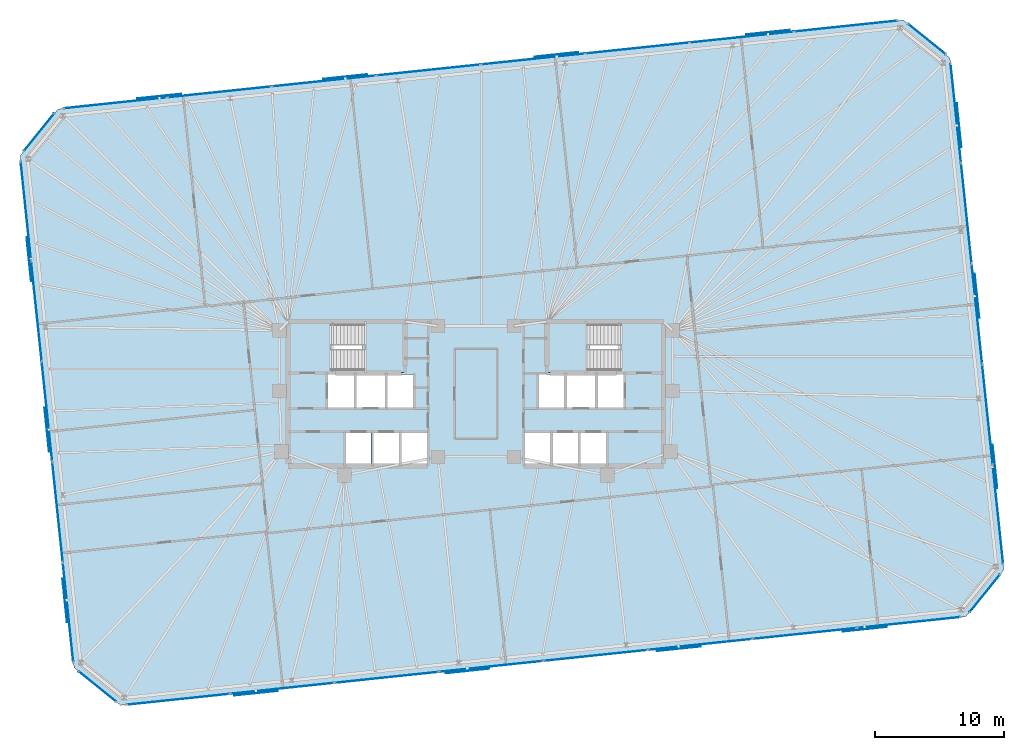
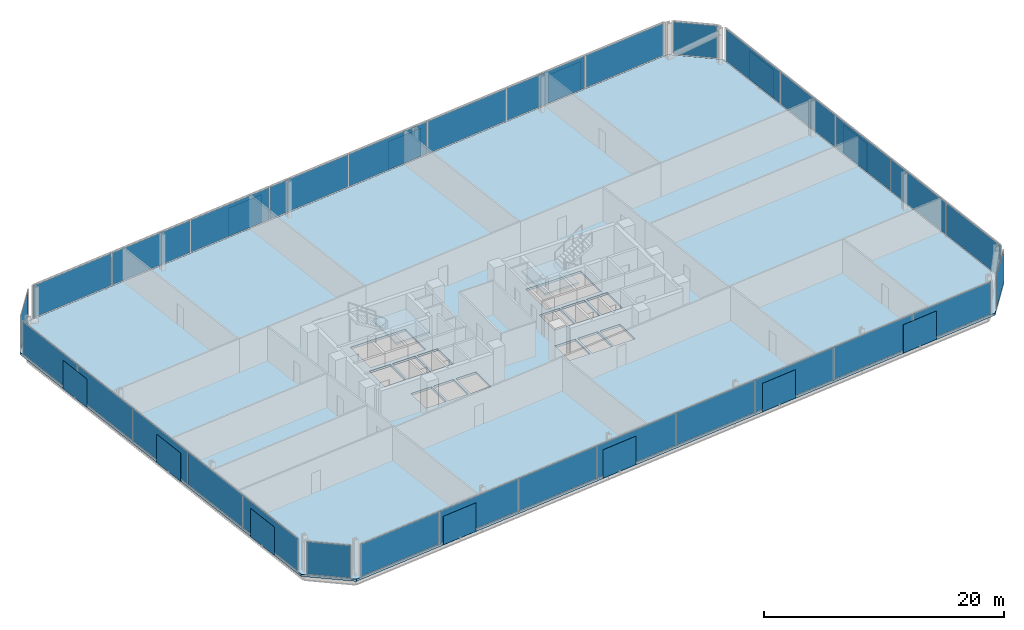
# One storey, part 13 of 18: 44 plates, 3 slabs, 10 elements without a shape of their own.
"""IFC4 building model written with IfcOpenShell, lengths in metres."""

from ifc_helpers import new_model, si_unit, direction, frame, origin, origin_2d, place, context, subcontext, project, spatial, polyline, rectangle, outline, extrude, material, layer, layer_set, type_object, element, aggregate, save


model = new_model("IFC4")

# Units and contexts
model_context = context("Model", 3, precision=1e-05, world=origin(), true_north=direction((0.0, 1.0)))
body_context = subcontext(model_context, "Body", "Model", "MODEL_VIEW")
ifc_project = project(units=[si_unit("LENGTHUNIT", "METRE"), si_unit("AREAUNIT", "SQUARE_METRE"), si_unit("VOLUMEUNIT", "CUBIC_METRE"), si_unit("PLANEANGLEUNIT", "RADIAN"), si_unit("MASSUNIT", "GRAM", prefix="KILO")], contexts=[model_context])

# Site, building, storey
site_placement = place(None, origin())
site = spatial("IfcSite", under=ifc_project, at=site_placement, CompositionType="ELEMENT")
building_placement = place(site_placement, origin())
building = spatial("IfcBuilding", under=site, at=building_placement, Name="Menara Jurai Vektor", CompositionType="ELEMENT")
storey_placement = place(building_placement, frame((0.0, 0.0, 117.0)))
storey = spatial("IfcBuildingStorey", under=building, at=storey_placement, Name="L29", CompositionType="ELEMENT", Elevation=117.0)

# Curtain wall, plates
ifc_material_1 = material(Name="Anodised Pale Aluminium & Low-E Double Glazing", Category="aluminium")
curtain_wall_type = type_object("IfcCurtainWallType", Name="CW-BLK2", PredefinedType="NOTDEFINED", material=ifc_material_1)
curtain_wall_1_placement = place(storey_placement, origin())
curtain_wall_1 = element("IfcCurtainWall", 1, at=curtain_wall_1_placement, inside=storey, type_object=curtain_wall_type, Name="Unitised Curtain Wall L29 F01", PredefinedType="NOTDEFINED")
ifc_material_2 = material(Name="Low-E Solar-Control Double Glazed Unit", Category="glass")
ifc_layer_1 = layer(ifc_material_2, 0.033935546875)
ifc_layer_set_1 = layer_set([ifc_layer_1], Name="Low-E Solar-Control Double Glazed Unit")
plate_type_1 = type_object("IfcPlateType", Name="CW-BLK2-PNL", PredefinedType="CURTAIN_PANEL", material=ifc_layer_set_1)
plate_1_placement = place(storey_placement, frame((-23.090087890625, -23.69921875, 0.090087890625), z_axis=(0.0, 0.0, 1.0), x_axis=(0.994521877325, 0.104528634935, 0.0)))
plate_1 = element("IfcPlate", 2, at=plate_1_placement, type_object=plate_type_1, Name="CW-02 panel 1.1", PredefinedType="CURTAIN_PANEL", context=body_context, shape_type="SweptSolid", body=[
    extrude(rectangle(XDim=8.007568359375, YDim=0.033935546875, at=origin_2d()), origin(), (0.0, 0.0, 1.0), 3.294921875),
])
plate_2_placement = place(storey_placement, frame((-15.014404296875, -22.850341796875, 0.090087890625), z_axis=(0.0, 0.0, 1.0), x_axis=(0.994521877325, 0.104528634935, 0.0)))
plate_2 = element("IfcPlate", 3, at=plate_2_placement, type_object=plate_type_1, Name="CW-02 panel 2.1", PredefinedType="CURTAIN_PANEL", context=body_context, shape_type="SweptSolid", body=[
    extrude(rectangle(XDim=8.052490234375, YDim=0.033935546875, at=origin_2d()), origin(), (0.0, 0.0, 1.0), 3.294921875),
])
plate_3_placement = place(storey_placement, frame((-6.91650390625, -21.999267578125, 0.090087890625), z_axis=(0.0, 0.0, 1.0), x_axis=(0.994521877325, 0.104528634935, 0.0)))
plate_3 = element("IfcPlate", 4, at=plate_3_placement, type_object=plate_type_1, Name="CW-02 panel 3.1", PredefinedType="CURTAIN_PANEL", context=body_context, shape_type="SweptSolid", body=[
    extrude(rectangle(XDim=8.052490234375, YDim=0.033935546875, at=origin_2d()), origin(), (0.0, 0.0, 1.0), 3.294921875),
])
plate_4_placement = place(storey_placement, frame((1.181396484375, -21.148193359375, 0.090087890625), z_axis=(0.0, 0.0, 1.0), x_axis=(0.994521877325, 0.104528634935, 0.0)))
plate_4 = element("IfcPlate", 5, at=plate_4_placement, type_object=plate_type_1, Name="CW-02 panel 4.1", PredefinedType="CURTAIN_PANEL", context=body_context, shape_type="SweptSolid", body=[
    extrude(rectangle(XDim=8.052490234375, YDim=0.033935546875, at=origin_2d()), origin(), (0.0, 0.0, 1.0), 3.294921875),
])
plate_5_placement = place(storey_placement, frame((9.279296875, -20.297119140625, 0.090087890625), z_axis=(0.0, 0.0, 1.0), x_axis=(0.994521877325, 0.104528634935, 0.0)))
plate_5 = element("IfcPlate", 6, at=plate_5_placement, type_object=plate_type_1, Name="CW-02 panel 5.1", PredefinedType="CURTAIN_PANEL", context=body_context, shape_type="SweptSolid", body=[
    extrude(rectangle(XDim=8.052490234375, YDim=0.033935546875, at=origin_2d()), origin(), (0.0, 0.0, 1.0), 3.294921875),
])
plate_6_placement = place(storey_placement, frame((17.377197265625, -19.44580078125, 0.090087890625), z_axis=(0.0, 0.0, 1.0), x_axis=(0.994521877325, 0.104528634935, 0.0)))
plate_6 = element("IfcPlate", 7, at=plate_6_placement, type_object=plate_type_1, Name="CW-02 panel 6.1", PredefinedType="CURTAIN_PANEL", context=body_context, shape_type="SweptSolid", body=[
    extrude(rectangle(XDim=8.052490234375, YDim=0.033935546875, at=origin_2d()), origin(), (0.0, 0.0, 1.0), 3.294921875),
])
plate_7_placement = place(storey_placement, frame((25.47509765625, -18.5947265625, 0.090087890625), z_axis=(0.0, 0.0, 1.0), x_axis=(0.994521877325, 0.104528634935, 0.0)))
plate_7 = element("IfcPlate", 8, at=plate_7_placement, type_object=plate_type_1, Name="CW-02 panel 7.1", PredefinedType="CURTAIN_PANEL", context=body_context, shape_type="SweptSolid", body=[
    extrude(rectangle(XDim=8.052490234375, YDim=0.033935546875, at=origin_2d()), origin(), (0.0, 0.0, 1.0), 3.294921875),
])
plate_8_placement = place(storey_placement, frame((33.550537109375, -17.74609375, 0.090087890625), z_axis=(0.0, 0.0, 1.0), x_axis=(0.994521877325, 0.104528634935, 0.0)))
plate_8 = element("IfcPlate", 9, at=plate_8_placement, type_object=plate_type_1, Name="CW-02 panel 8.1", PredefinedType="CURTAIN_PANEL", context=body_context, shape_type="SweptSolid", body=[
    extrude(rectangle(XDim=8.007568359375, YDim=0.033935546875, at=origin_2d()), origin(), (0.0, 0.0, 1.0), 3.294921875),
])
aggregate(curtain_wall_1, [plate_1, plate_2, plate_3, plate_4, plate_5, plate_6, plate_7, plate_8])

curtain_wall_2_placement = place(storey_placement, origin())
curtain_wall_2 = element("IfcCurtainWall", 10, at=curtain_wall_2_placement, inside=storey, type_object=curtain_wall_type, Name="Unitised Curtain Wall L29 F03", PredefinedType="NOTDEFINED")
plate_9_placement = place(storey_placement, frame((40.485595703125, -9.358642578125, 0.090087890625), z_axis=(0.0, 0.0, 1.0), x_axis=(-0.104529576902, 0.99452177832, 0.0)))
plate_9 = element("IfcPlate", 11, at=plate_9_placement, type_object=plate_type_1, Name="CW-02 panel 1.1", PredefinedType="CURTAIN_PANEL", context=body_context, shape_type="SweptSolid", body=[
    extrude(rectangle(XDim=7.693115234375, YDim=0.033935546875, at=origin_2d()), origin(), (0.0, 0.0, 1.0), 3.294921875),
])
plate_10_placement = place(storey_placement, frame((39.669677734375, -1.595947265625, 0.090087890625), z_axis=(0.0, 0.0, 1.0), x_axis=(-0.104529576902, 0.99452177832, 0.0)))
plate_10 = element("IfcPlate", 12, at=plate_10_placement, type_object=plate_type_1, Name="CW-02 panel 2.1", PredefinedType="CURTAIN_PANEL", context=body_context, shape_type="SweptSolid", body=[
    extrude(rectangle(XDim=7.738037109375, YDim=0.033935546875, at=origin_2d()), origin(), (0.0, 0.0, 1.0), 3.294921875),
])
plate_11_placement = place(storey_placement, frame((38.8515625, 6.189208984375, 0.090087890625), z_axis=(0.0, 0.0, 1.0), x_axis=(-0.104529576902, 0.99452177832, 0.0)))
plate_11 = element("IfcPlate", 13, at=plate_11_placement, type_object=plate_type_1, Name="CW-02 panel 3.1", PredefinedType="CURTAIN_PANEL", context=body_context, shape_type="SweptSolid", body=[
    extrude(rectangle(XDim=7.738037109375, YDim=0.033935546875, at=origin_2d()), origin(), (0.0, 0.0, 1.0), 3.294921875),
])
plate_12_placement = place(storey_placement, frame((38.033203125, 13.974365234375, 0.090087890625), z_axis=(0.0, 0.0, 1.0), x_axis=(-0.104529576902, 0.99452177832, 0.0)))
plate_12 = element("IfcPlate", 14, at=plate_12_placement, type_object=plate_type_1, Name="CW-02 panel 4.1", PredefinedType="CURTAIN_PANEL", context=body_context, shape_type="SweptSolid", body=[
    extrude(rectangle(XDim=7.738037109375, YDim=0.033935546875, at=origin_2d()), origin(), (0.0, 0.0, 1.0), 3.294921875),
])
plate_13_placement = place(storey_placement, frame((37.21728515625, 21.737060546875, 0.090087890625), z_axis=(0.0, 0.0, 1.0), x_axis=(-0.104529576902, 0.99452177832, 0.0)))
plate_13 = element("IfcPlate", 15, at=plate_13_placement, type_object=plate_type_1, Name="CW-02 panel 5.1", PredefinedType="CURTAIN_PANEL", context=body_context, shape_type="SweptSolid", body=[
    extrude(rectangle(XDim=7.693115234375, YDim=0.033935546875, at=origin_2d()), origin(), (0.0, 0.0, 1.0), 3.294921875),
])
aggregate(curtain_wall_2, [plate_9, plate_10, plate_11, plate_12, plate_13])

curtain_wall_3_placement = place(storey_placement, origin())
curtain_wall_3 = element("IfcCurtainWall", 16, at=curtain_wall_3_placement, inside=storey, type_object=curtain_wall_type, Name="Unitised Curtain Wall L29 F05", PredefinedType="NOTDEFINED")
plate_14_placement = place(storey_placement, frame((28.68994140625, 28.499267578125, 0.090087890625), z_axis=(0.0, 0.0, 1.0), x_axis=(-0.994521877325, -0.104528634935, 0.0)))
plate_14 = element("IfcPlate", 17, at=plate_14_placement, type_object=plate_type_1, Name="CW-02 panel 1.1", PredefinedType="CURTAIN_PANEL", context=body_context, shape_type="SweptSolid", body=[
    extrude(rectangle(XDim=8.007568359375, YDim=0.033935546875, at=origin_2d()), origin(), (0.0, 0.0, 1.0), 3.294921875),
])
plate_15_placement = place(storey_placement, frame((20.614501953125, 27.650390625, 0.090087890625), z_axis=(0.0, 0.0, 1.0), x_axis=(-0.994521877325, -0.104528634935, 0.0)))
plate_15 = element("IfcPlate", 18, at=plate_15_placement, type_object=plate_type_1, Name="CW-02 panel 2.1", PredefinedType="CURTAIN_PANEL", context=body_context, shape_type="SweptSolid", body=[
    extrude(rectangle(XDim=8.052490234375, YDim=0.033935546875, at=origin_2d()), origin(), (0.0, 0.0, 1.0), 3.294921875),
])
plate_16_placement = place(storey_placement, frame((12.5166015625, 26.79931640625, 0.090087890625), z_axis=(0.0, 0.0, 1.0), x_axis=(-0.994521877325, -0.104528634935, 0.0)))
plate_16 = element("IfcPlate", 19, at=plate_16_placement, type_object=plate_type_1, Name="CW-02 panel 3.1", PredefinedType="CURTAIN_PANEL", context=body_context, shape_type="SweptSolid", body=[
    extrude(rectangle(XDim=8.052490234375, YDim=0.033935546875, at=origin_2d()), origin(), (0.0, 0.0, 1.0), 3.294921875),
])
plate_17_placement = place(storey_placement, frame((4.418701171875, 25.9482421875, 0.090087890625), z_axis=(0.0, 0.0, 1.0), x_axis=(-0.994521877325, -0.104528634935, 0.0)))
plate_17 = element("IfcPlate", 20, at=plate_17_placement, type_object=plate_type_1, Name="CW-02 panel 4.1", PredefinedType="CURTAIN_PANEL", context=body_context, shape_type="SweptSolid", body=[
    extrude(rectangle(XDim=8.052490234375, YDim=0.033935546875, at=origin_2d()), origin(), (0.0, 0.0, 1.0), 3.294921875),
])
plate_18_placement = place(storey_placement, frame((-3.67919921875, 25.096923828125, 0.090087890625), z_axis=(0.0, 0.0, 1.0), x_axis=(-0.994521877325, -0.104528634935, 0.0)))
plate_18 = element("IfcPlate", 21, at=plate_18_placement, type_object=plate_type_1, Name="CW-02 panel 5.1", PredefinedType="CURTAIN_PANEL", context=body_context, shape_type="SweptSolid", body=[
    extrude(rectangle(XDim=8.052490234375, YDim=0.033935546875, at=origin_2d()), origin(), (0.0, 0.0, 1.0), 3.294921875),
])
plate_19_placement = place(storey_placement, frame((-11.777099609375, 24.245849609375, 0.090087890625), z_axis=(0.0, 0.0, 1.0), x_axis=(-0.994521877325, -0.104528634935, 0.0)))
plate_19 = element("IfcPlate", 22, at=plate_19_placement, type_object=plate_type_1, Name="CW-02 panel 6.1", PredefinedType="CURTAIN_PANEL", context=body_context, shape_type="SweptSolid", body=[
    extrude(rectangle(XDim=8.052490234375, YDim=0.033935546875, at=origin_2d()), origin(), (0.0, 0.0, 1.0), 3.294921875),
])
plate_20_placement = place(storey_placement, frame((-19.875, 23.394775390625, 0.090087890625), z_axis=(0.0, 0.0, 1.0), x_axis=(-0.994521877325, -0.104528634935, 0.0)))
plate_20 = element("IfcPlate", 23, at=plate_20_placement, type_object=plate_type_1, Name="CW-02 panel 7.1", PredefinedType="CURTAIN_PANEL", context=body_context, shape_type="SweptSolid", body=[
    extrude(rectangle(XDim=8.052490234375, YDim=0.033935546875, at=origin_2d()), origin(), (0.0, 0.0, 1.0), 3.294921875),
])
plate_21_placement = place(storey_placement, frame((-27.95068359375, 22.5458984375, 0.090087890625), z_axis=(0.0, 0.0, 1.0), x_axis=(-0.994521877325, -0.104528634935, 0.0)))
plate_21 = element("IfcPlate", 24, at=plate_21_placement, type_object=plate_type_1, Name="CW-02 panel 8.1", PredefinedType="CURTAIN_PANEL", context=body_context, shape_type="SweptSolid", body=[
    extrude(rectangle(XDim=8.007568359375, YDim=0.033935546875, at=origin_2d()), origin(), (0.0, 0.0, 1.0), 3.294921875),
])
aggregate(curtain_wall_3, [plate_14, plate_15, plate_16, plate_17, plate_18, plate_19, plate_20, plate_21])

curtain_wall_4_placement = place(storey_placement, origin())
curtain_wall_4 = element("IfcCurtainWall", 25, at=curtain_wall_4_placement, inside=storey, type_object=curtain_wall_type, Name="Unitised Curtain Wall L29 F07", PredefinedType="NOTDEFINED")
plate_22_placement = place(storey_placement, frame((-34.885498046875, 14.15869140625, 0.090087890625), z_axis=(0.0, 0.0, 1.0), x_axis=(0.104529576902, -0.99452177832, 0.0)))
plate_22 = element("IfcPlate", 26, at=plate_22_placement, type_object=plate_type_1, Name="CW-02 panel 1.1", PredefinedType="CURTAIN_PANEL", context=body_context, shape_type="SweptSolid", body=[
    extrude(rectangle(XDim=7.693115234375, YDim=0.033935546875, at=origin_2d()), origin(), (0.0, 0.0, 1.0), 3.294921875),
])
plate_23_placement = place(storey_placement, frame((-34.06982421875, 6.39599609375, 0.090087890625), z_axis=(0.0, 0.0, 1.0), x_axis=(0.104529576902, -0.99452177832, 0.0)))
plate_23 = element("IfcPlate", 27, at=plate_23_placement, type_object=plate_type_1, Name="CW-02 panel 2.1", PredefinedType="CURTAIN_PANEL", context=body_context, shape_type="SweptSolid", body=[
    extrude(rectangle(XDim=7.738037109375, YDim=0.033935546875, at=origin_2d()), origin(), (0.0, 0.0, 1.0), 3.294921875),
])
plate_24_placement = place(storey_placement, frame((-33.25146484375, -1.38916015625, 0.090087890625), z_axis=(0.0, 0.0, 1.0), x_axis=(0.104529576902, -0.99452177832, 0.0)))
plate_24 = element("IfcPlate", 28, at=plate_24_placement, type_object=plate_type_1, Name="CW-02 panel 3.1", PredefinedType="CURTAIN_PANEL", context=body_context, shape_type="SweptSolid", body=[
    extrude(rectangle(XDim=7.738037109375, YDim=0.033935546875, at=origin_2d()), origin(), (0.0, 0.0, 1.0), 3.294921875),
])
plate_25_placement = place(storey_placement, frame((-32.43310546875, -9.17431640625, 0.090087890625), z_axis=(0.0, 0.0, 1.0), x_axis=(0.104529576902, -0.99452177832, 0.0)))
plate_25 = element("IfcPlate", 29, at=plate_25_placement, type_object=plate_type_1, Name="CW-02 panel 4.1", PredefinedType="CURTAIN_PANEL", context=body_context, shape_type="SweptSolid", body=[
    extrude(rectangle(XDim=7.738037109375, YDim=0.033935546875, at=origin_2d()), origin(), (0.0, 0.0, 1.0), 3.294921875),
])
plate_26_placement = place(storey_placement, frame((-31.6171875, -16.93701171875, 0.090087890625), z_axis=(0.0, 0.0, 1.0), x_axis=(0.104529576902, -0.99452177832, 0.0)))
plate_26 = element("IfcPlate", 30, at=plate_26_placement, type_object=plate_type_1, Name="CW-02 panel 5.1", PredefinedType="CURTAIN_PANEL", context=body_context, shape_type="SweptSolid", body=[
    extrude(rectangle(XDim=7.693115234375, YDim=0.033935546875, at=origin_2d()), origin(), (0.0, 0.0, 1.0), 3.294921875),
])
aggregate(curtain_wall_4, [plate_22, plate_23, plate_24, plate_25, plate_26])

# Curtain wall, plate
curtain_wall_5_placement = place(storey_placement, origin())
curtain_wall_5 = element("IfcCurtainWall", 31, at=curtain_wall_5_placement, inside=storey, type_object=curtain_wall_type, Name="Unitised Curtain Wall L29 F02", PredefinedType="NOTDEFINED")
ifc_material_3 = material(Name="Insulated Pale Aluminium Spandrel Panel", Category="aluminium")
ifc_layer_2 = layer(ifc_material_3, 0.06005859375)
ifc_layer_set_2 = layer_set([ifc_layer_2], Name="Insulated Pale Aluminium Spandrel Panel")
plate_type_2 = type_object("IfcPlateType", Name="CW-PNL-SP", PredefinedType="CURTAIN_PANEL", material=ifc_layer_set_2)
plate_27_placement = place(storey_placement, frame((39.46826171875, -15.465087890625, 0.090087890625), z_axis=(0.0, 0.0, 1.0), x_axis=(0.62934106172, 0.777129222223, 0.0)))
plate_27 = element("IfcPlate", 32, at=plate_27_placement, type_object=plate_type_2, Name="CW-02 panel 1.1", PredefinedType="CURTAIN_PANEL", context=body_context, shape_type="SweptSolid", body=[
    extrude(rectangle(XDim=3.72705078125, YDim=0.06005859375, at=origin_2d()), origin(), (0.0, 0.0, 1.0), 3.294921875),
])
aggregate(curtain_wall_5, [plate_27])

curtain_wall_6_placement = place(storey_placement, origin())
curtain_wall_6 = element("IfcCurtainWall", 33, at=curtain_wall_6_placement, inside=storey, type_object=curtain_wall_type, Name="Unitised Curtain Wall L29 F04", PredefinedType="NOTDEFINED")
plate_28_placement = place(storey_placement, frame((34.95263671875, 27.498291015625, 0.090087890625), z_axis=(0.0, 0.0, 1.0), x_axis=(-0.777151877437, 0.629313085353, 0.0)))
plate_28 = element("IfcPlate", 34, at=plate_28_placement, type_object=plate_type_2, Name="CW-02 panel 1.1", PredefinedType="CURTAIN_PANEL", context=body_context, shape_type="SweptSolid", body=[
    extrude(rectangle(XDim=3.72705078125, YDim=0.06005859375, at=origin_2d()), origin(), (0.0, 0.0, 1.0), 3.294921875),
])
aggregate(curtain_wall_6, [plate_28])

curtain_wall_7_placement = place(storey_placement, origin())
curtain_wall_7 = element("IfcCurtainWall", 35, at=curtain_wall_7_placement, inside=storey, type_object=curtain_wall_type, Name="Unitised Curtain Wall L29 F06", PredefinedType="NOTDEFINED")
plate_29_placement = place(storey_placement, frame((-33.868408203125, 20.264892578125, 0.090087890625), z_axis=(0.0, 0.0, 1.0), x_axis=(-0.62934106172, -0.777129222223, 0.0)))
plate_29 = element("IfcPlate", 36, at=plate_29_placement, type_object=plate_type_2, Name="CW-02 panel 1.1", PredefinedType="CURTAIN_PANEL", context=body_context, shape_type="SweptSolid", body=[
    extrude(rectangle(XDim=3.72705078125, YDim=0.06005859375, at=origin_2d()), origin(), (0.0, 0.0, 1.0), 3.294921875),
])
aggregate(curtain_wall_7, [plate_29])

curtain_wall_8_placement = place(storey_placement, origin())
curtain_wall_8 = element("IfcCurtainWall", 37, at=curtain_wall_8_placement, inside=storey, type_object=curtain_wall_type, Name="Unitised Curtain Wall L29 F08", PredefinedType="NOTDEFINED")
plate_30_placement = place(storey_placement, frame((-29.3525390625, -22.6982421875, 0.090087890625), z_axis=(0.0, 0.0, 1.0), x_axis=(0.777151877437, -0.629313085353, 0.0)))
plate_30 = element("IfcPlate", 38, at=plate_30_placement, type_object=plate_type_2, Name="CW-02 panel 1.1", PredefinedType="CURTAIN_PANEL", context=body_context, shape_type="SweptSolid", body=[
    extrude(rectangle(XDim=3.72705078125, YDim=0.06005859375, at=origin_2d()), origin(), (0.0, 0.0, 1.0), 3.294921875),
])
aggregate(curtain_wall_8, [plate_30])

# Plates
ifc_material_4 = material(Name="Anodised Pale Aluminium Perforated Screen", Category="aluminium")
ifc_layer_3 = layer(ifc_material_4, 0.02392578125)
ifc_layer_set_3 = layer_set([ifc_layer_3], Name="Anodised Pale Aluminium Perforated Screen")
plate_type_3 = type_object("IfcPlateType", Name="ENV-PLT-SCREEN", PredefinedType="USERDEFINED", material=ifc_layer_set_3)
for number, where, z_axis, x_axis, name in (
    (39, (-17.0361328125, -23.223876953125, -0.050048828125), (0.0, 0.0, 1.0), (0.994521895368, 0.104528463268, 0.0), "Perforated Pale-Metal Solar Screen L29-S01"),
    (40, (-0.651611328125, -21.501708984375, -0.050048828125), (0.0, 0.0, 1.0), (0.994521895368, 0.104528463268, 0.0), "Perforated Pale-Metal Solar Screen L29-S02"),
    (41, (15.7333984375, -19.779541015625, -0.050048828125), (0.0, 0.0, 1.0), (0.994521895368, 0.104528463268, 0.0), "Perforated Pale-Metal Solar Screen L29-S03"),
    (42, (30.15185546875, -18.26416015625, -0.050048828125), (0.0, 0.0, 1.0), (0.994521895368, 0.104528463268, 0.0), "Perforated Pale-Metal Solar Screen L29-S04"),
    (43, (40.2548828125, -5.63232421875, -0.050048828125), (0.0, 0.0, 1.0), (-0.104528463268, 0.994521895368, 0.0), "Perforated Pale-Metal Solar Screen L29-S05"),
    (44, (38.864501953125, 7.5947265625, -0.050048828125), (0.0, 0.0, 1.0), (-0.104528463268, 0.994521895368, 0.0), "Perforated Pale-Metal Solar Screen L29-S06"),
    (45, (37.474365234375, 20.822021484375, -0.050048828125), (0.0, 0.0, 1.0), (-0.104528463268, 0.994521895368, 0.0), "Perforated Pale-Metal Solar Screen L29-S07"),
    (46, (22.63623046875, 28.023681640625, -0.050048828125), (0.0, 0.0, 1.0), (-0.994521895368, -0.104528463268, 0.0), "Perforated Pale-Metal Solar Screen L29-S08"),
    (47, (6.25146484375, 26.3017578125, -0.050048828125), (0.0, 0.0, 1.0), (-0.994521895368, -0.104528463268, 0.0), "Perforated Pale-Metal Solar Screen L29-S09"),
    (48, (-10.13330078125, 24.57958984375, -0.050048828125), (0.0, 0.0, 1.0), (-0.994521895368, -0.104528463268, 0.0), "Perforated Pale-Metal Solar Screen L29-S10"),
    (49, (-24.5517578125, 23.064208984375, -0.050048828125), (0.0, 0.0, 1.0), (-0.994521895368, -0.104528463268, 0.0), "Perforated Pale-Metal Solar Screen L29-S11"),
    (50, (-34.65478515625, 10.432373046875, -0.050048828125), (0.0, 0.0, 1.0), (0.104528463268, -0.994521895368, 0.0), "Perforated Pale-Metal Solar Screen L29-S12"),
    (51, (-33.2646484375, -2.794677734375, -0.050048828125), (0.0, 0.0, 1.0), (0.104528463268, -0.994521895368, 0.0), "Perforated Pale-Metal Solar Screen L29-S13"),
    (52, (-31.87451171875, -16.02197265625, -0.050048828125), (0.0, 0.0, 1.0), (0.104528463268, -0.994521895368, 0.0), "Perforated Pale-Metal Solar Screen L29-S14"),
):
    element("IfcPlate", number, at=place(storey_placement, frame(where, z_axis=z_axis, x_axis=x_axis)), inside=storey, type_object=plate_type_3, Name=name, ObjectType="SCREEN", PredefinedType="USERDEFINED", context=body_context, shape_type="SweptSolid", body=[
        extrude(rectangle(XDim=3.39990234375, YDim=0.02392578125, at=origin_2d()), origin(), (0.0, 0.0, 1.0), 2.89990234375),
    ])

# Stair, slab
ifc_material_5 = material(Name="Concrete C40/50", Category="concrete")
stair_type = type_object("IfcStairType", Name="STAIR-DOGLEG-1500", PredefinedType="HALF_TURN_STAIR", material=ifc_material_5)
stair_1_placement = place(storey_placement, origin())
stair_1 = element("IfcStair", 53, at=stair_1_placement, inside=storey, type_object=stair_type, Name="Protected Exit Stair ST1 L29", PredefinedType="HALF_TURN_STAIR")
ifc_layer_4 = layer(ifc_material_5, 0.199951171875)
ifc_layer_set_4 = layer_set([ifc_layer_4], Name="Concrete C40/50")
slab_type_1 = type_object("IfcSlabType", Name="STAIR-LANDING-200", PredefinedType="LANDING", material=ifc_layer_set_4)
slab_1_placement = place(storey_placement, frame((0.0, 0.0, 1.64990234375)))
slab_1 = element("IfcSlab", 54, at=slab_1_placement, type_object=slab_type_1, Name="ST1 landing 1", PredefinedType="LANDING", context=body_context, shape_type="SweptSolid", body=[
    extrude(outline(polyline([(-8.800048828125, 1.64990234375), (-5.550048828125, 1.64990234375), (-5.550048828125, 5.550048828125), (-8.800048828125, 5.550048828125), (-8.800048828125, 1.64990234375)])), origin(), (0.0, 0.0, 1.0), 0.2001953125),
])
aggregate(stair_1, [slab_1])

stair_2_placement = place(storey_placement, origin())
stair_2 = element("IfcStair", 55, at=stair_2_placement, inside=storey, type_object=stair_type, Name="Protected Exit Stair ST2 L29", PredefinedType="HALF_TURN_STAIR")
slab_2_placement = place(storey_placement, frame((0.0, 0.0, 1.64990234375)))
slab_2 = element("IfcSlab", 56, at=slab_2_placement, type_object=slab_type_1, Name="ST2 landing 1", PredefinedType="LANDING", context=body_context, shape_type="SweptSolid", body=[
    extrude(outline(polyline([(5.550048828125, 1.64990234375), (8.800048828125, 1.64990234375), (8.800048828125, 5.550048828125), (5.550048828125, 5.550048828125), (5.550048828125, 1.64990234375)])), origin(), (0.0, 0.0, 1.0), 0.2001953125),
])
aggregate(stair_2, [slab_2])

# Slab
ifc_layer_5 = layer(ifc_material_5, 0.22509765625)
ifc_layer_set_5 = layer_set([ifc_layer_5], Name="Concrete C40/50")
slab_type_2 = type_object("IfcSlabType", Name="STR-SLAB-TYP200", PredefinedType="FLOOR", material=ifc_layer_set_5)
slab_3_placement = place(storey_placement, frame((0.0, 0.0, -0.22509765625)))
element("IfcSlab", 57, at=slab_3_placement, inside=storey, type_object=slab_type_2, Name="Composite Floor Slab L29", PredefinedType="FLOOR", context=body_context, shape_type="SweptSolid", body=[
    extrude(outline(polyline([(-27.539306640625, -24.166748046875), (37.999755859375, -17.2783203125), (40.936767578125, -13.651611328125), (36.76611328125, 26.02978515625), (33.13916015625, 28.966796875), (-32.39990234375, 22.078369140625), (-35.3369140625, 18.45166015625), (-31.166015625, -21.22998046875), (-27.539306640625, -24.166748046875)]), holes=[polyline([(-11.10009765625, 1.89990234375), (-11.10009765625, 5.300048828125), (-5.800048828125, 5.300048828125), (-5.800048828125, 1.89990234375), (-11.10009765625, 1.89990234375)]), polyline([(5.800048828125, 1.89990234375), (5.800048828125, 5.300048828125), (11.10009765625, 5.300048828125), (11.10009765625, 1.89990234375), (5.800048828125, 1.89990234375)]), polyline([(-11.449951171875, -1.050048828125), (-11.449951171875, 1.5), (-9.449951171875, 1.5), (-9.449951171875, -1.050048828125), (-11.449951171875, -1.050048828125)]), polyline([(9.449951171875, -1.050048828125), (9.449951171875, 1.5), (11.449951171875, 1.5), (11.449951171875, -1.050048828125), (9.449951171875, -1.050048828125)]), polyline([(-5.760009765625, -5.5), (-5.760009765625, -3.050048828125), (-3.800048828125, -3.050048828125), (-3.800048828125, -5.5), (-5.760009765625, -5.5)]), polyline([(-6.85009765625, -1.050048828125), (-6.85009765625, 1.5), (-4.889892578125, 1.5), (-4.889892578125, -1.050048828125), (-6.85009765625, -1.050048828125)]), polyline([(3.800048828125, -5.5), (3.800048828125, -3.050048828125), (5.760009765625, -3.050048828125), (5.760009765625, -5.5), (3.800048828125, -5.5)]), polyline([(4.889892578125, -1.050048828125), (4.889892578125, 1.5), (6.85009765625, 1.5), (6.85009765625, -1.050048828125), (4.889892578125, -1.050048828125)]), polyline([(-10.080078125, -5.5), (-10.080078125, -3.050048828125), (-8.1201171875, -3.050048828125), (-8.1201171875, -5.5), (-10.080078125, -5.5)]), polyline([(-7.919921875, -5.5), (-7.919921875, -3.050048828125), (-5.9599609375, -3.050048828125), (-5.9599609375, -5.5), (-7.919921875, -5.5)]), polyline([(5.9599609375, -5.5), (5.9599609375, -3.050048828125), (7.919921875, -3.050048828125), (7.919921875, -5.5), (5.9599609375, -5.5)]), polyline([(8.1201171875, -5.5), (8.1201171875, -3.050048828125), (10.080078125, -3.050048828125), (10.080078125, -5.5), (8.1201171875, -5.5)]), polyline([(-9.25, -1.050048828125), (-9.25, 1.5), (-7.050048828125, 1.5), (-7.050048828125, -1.050048828125), (-9.25, -1.050048828125)]), polyline([(7.050048828125, -1.050048828125), (7.050048828125, 1.5), (9.25, 1.5), (9.25, -1.050048828125), (7.050048828125, -1.050048828125)])]), origin(), (0.0, 0.0, 1.0), 0.22509765625),
])

save(model, "model.ifc")
